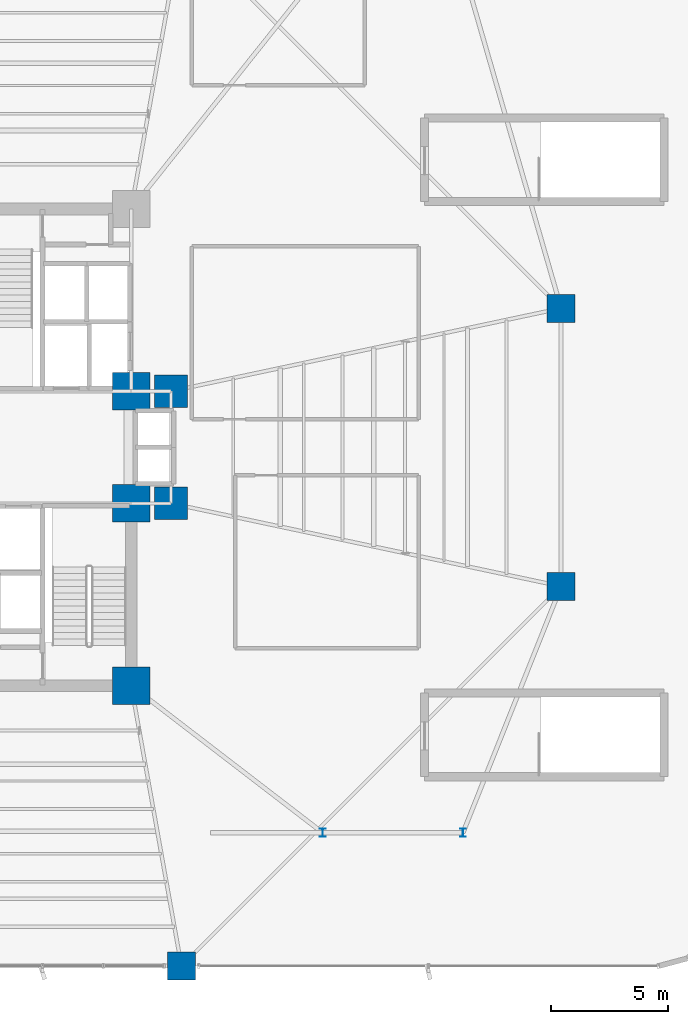
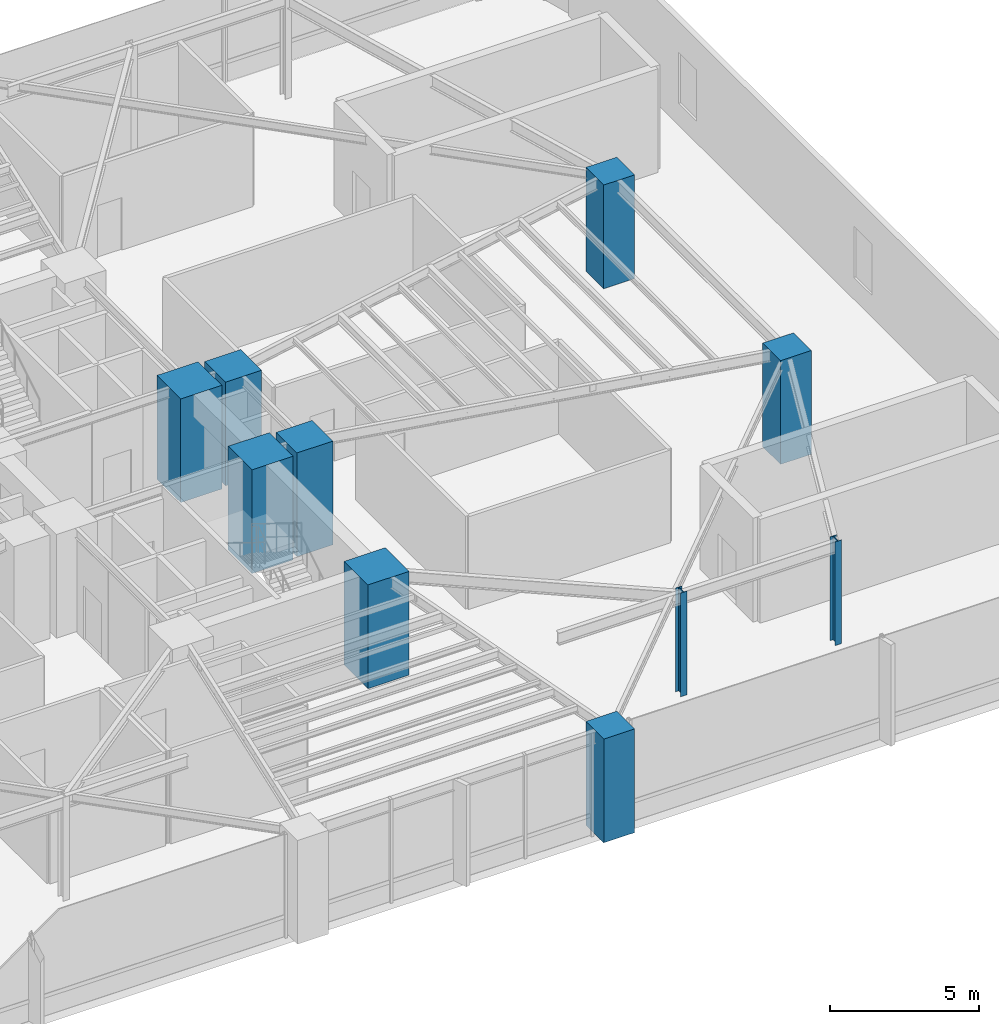
# One storey, part 2 of 26: 10 columns.
"""IFC4 building model written with IfcOpenShell, lengths in metres."""

from ifc_helpers import new_model, si_unit, direction, frame, origin, origin_2d, place, context, subcontext, project, spatial, rectangle, i_section, extrude, source, transform, mapped, material, material_profile, profile_set, type_object, element, save


model = new_model("IFC4")

# Units and contexts
model_context = context("Model", 3, precision=1e-05, world=origin(), true_north=direction((0.0, 1.0)))
body_context = subcontext(model_context, "Body", "Model", "MODEL_VIEW")
ifc_project = project(units=[si_unit("LENGTHUNIT", "METRE"), si_unit("AREAUNIT", "SQUARE_METRE"), si_unit("VOLUMEUNIT", "CUBIC_METRE"), si_unit("PLANEANGLEUNIT", "RADIAN"), si_unit("MASSUNIT", "GRAM", prefix="KILO")], contexts=[model_context])

# Site, building, storey
site_placement = place(None, origin())
site = spatial("IfcSite", under=ifc_project, at=site_placement, CompositionType="ELEMENT")
building_placement = place(site_placement, origin())
building = spatial("IfcBuilding", under=site, at=building_placement, Name="Sahyath Konkavel Grand Hotel", CompositionType="ELEMENT")
storey_placement = place(building_placement, frame((0.0, 0.0, 18.60009765625)))
storey = spatial("IfcBuildingStorey", under=building, at=storey_placement, Name="L04", CompositionType="ELEMENT", Elevation=18.60009765625)

# Columns
ifc_material_1 = material(Name="Concrete C70/85", Category="concrete")
ifc_material_profile_1 = material_profile(ifc_material_1, rectangle(XDim=1.60009765625, YDim=1.60009765625, at=origin_2d()), Name="RC 1600x1600")
ifc_profile_set_1 = profile_set([ifc_material_profile_1], Name="Concrete C70/85")
column_type_1 = type_object("IfcColumnType", Name="COL-RC1600", PredefinedType="COLUMN", material=ifc_profile_set_1)
shared_shape_1 = source(origin(), body_context, "Body", "SweptSolid", [
    extrude(rectangle(XDim=1.60009765625, YDim=1.60009765625, at=origin_2d()), origin(), (0.0, 0.0, 1.0), 4.260009765625),
])
for number, where, z_axis, x_axis, name in (
    (1, (3.800048828125, 2.39990234375, 0.0), (0.0, 0.0, 1.0), (1.0, 0.0, 0.0), "L04 Core Boundary Column NC-SE"),
    (2, (3.800048828125, -2.39990234375, 0.0), (0.0, 0.0, 1.0), (1.0, 0.0, 0.0), "L04 Core Boundary Column SC-NE"),
    (3, (3.800048828125, -10.199951171875, 0.0), (0.0, 0.0, 1.0), (1.0, 0.0, 0.0), "L04 Core Boundary Column SC-SE"),
):
    element("IfcColumn", number, at=place(storey_placement, frame(where, z_axis=z_axis, x_axis=x_axis)), inside=storey, type_object=column_type_1, Name=name, PredefinedType="COLUMN", context=body_context, shape_type="MappedRepresentation", body=[
        mapped(shared_shape_1, transform((0.0, 0.0, 0.0), scale=1.0)),
    ])
ifc_material_profile_2 = material_profile(ifc_material_1, rectangle(XDim=1.39990234375, YDim=1.39990234375, at=origin_2d()), Name="RC 1400x1400")
ifc_profile_set_2 = profile_set([ifc_material_profile_2], Name="Concrete C70/85")
column_type_2 = type_object("IfcColumnType", Name="COL-RC1400", PredefinedType="COLUMN", material=ifc_profile_set_2)
shared_shape_2 = source(origin(), body_context, "Body", "SweptSolid", [
    extrude(rectangle(XDim=1.39990234375, YDim=1.39990234375, at=origin_2d()), origin(), (0.0, 0.0, 1.0), 4.260009765625),
])
for number, where, z_axis, x_axis, name in (
    (4, (5.5, 2.39990234375, 0.0), (0.0, 0.0, 1.0), (1.0, 0.0, 0.0), "L04 Central Spine Column HB-NE"),
    (5, (5.5, -2.39990234375, 0.0), (0.0, 0.0, 1.0), (1.0, 0.0, 0.0), "L04 Central Spine Column HB-SE"),
):
    element("IfcColumn", number, at=place(storey_placement, frame(where, z_axis=z_axis, x_axis=x_axis)), inside=storey, type_object=column_type_2, Name=name, PredefinedType="COLUMN", context=body_context, shape_type="MappedRepresentation", body=[
        mapped(shared_shape_2, transform((0.0, 0.0, 0.0), scale=1.0)),
    ])
ifc_material_2 = material(Name="Concrete C50/60", Category="concrete")
ifc_material_profile_3 = material_profile(ifc_material_2, rectangle(XDim=1.199951171875, YDim=1.199951171875, at=origin_2d()), Name="RC 1200x1200")
ifc_profile_set_3 = profile_set([ifc_material_profile_3], Name="Concrete C50/60")
column_type_3 = type_object("IfcColumnType", Name="COL-RC1200", PredefinedType="COLUMN", material=ifc_profile_set_3)
shared_shape_3 = source(origin(), body_context, "Body", "SweptSolid", [
    extrude(rectangle(XDim=1.199951171875, YDim=1.199951171875, at=origin_2d()), origin(), (0.0, 0.0, 1.0), 4.260009765625),
])
for number, where, z_axis, x_axis, name in (
    (6, (22.199951171875, -5.949951171875, 0.0), (0.0, 0.0, 1.0), (1.0, 0.0, 0.0), "L04 Cruciform Wing Column WC-EA"),
    (7, (22.199951171875, 5.949951171875, 0.0), (0.0, 0.0, 1.0), (1.0, 0.0, 0.0), "L04 Cruciform Wing Column WC-EB"),
    (8, (5.949951171875, -22.199951171875, 0.0), (0.0, 0.0, 1.0), (1.0, 0.0, 0.0), "L04 Cruciform Wing Column WC-SB"),
):
    element("IfcColumn", number, at=place(storey_placement, frame(where, z_axis=z_axis, x_axis=x_axis)), inside=storey, type_object=column_type_3, Name=name, PredefinedType="COLUMN", context=body_context, shape_type="MappedRepresentation", body=[
        mapped(shared_shape_3, transform((0.0, 0.0, 0.0), scale=1.0)),
    ])
ifc_material_3 = material(Name="Steel E350", Category="steel")
ifc_material_profile_4 = material_profile(ifc_material_3, i_section(OverallWidth=0.25, OverallDepth=0.35009765625, WebThickness=0.01171875, FlangeThickness=0.01171875, FilletRadius=0.011962890625, at=origin_2d()), Name="ISHB 350")
ifc_profile_set_4 = profile_set([ifc_material_profile_4], Name="Steel E350")
column_type_4 = type_object("IfcColumnType", Name="COL-ISHB350", PredefinedType="COLUMN", material=ifc_profile_set_4)
shared_shape_4 = source(origin(), body_context, "Body", "SweptSolid", [
    extrude(i_section(OverallWidth=0.25, OverallDepth=0.35009765625, WebThickness=0.01171875, FlangeThickness=0.01171875, FilletRadius=0.011962890625, at=origin_2d()), origin(), (0.0, 0.0, 1.0), 4.260009765625),
])
for number, where, z_axis, x_axis, name in (
    (9, (12.0, -16.5, 0.0), (0.0, 0.0, 1.0), (1.0, 0.0, 0.0), "L04 Sandstone Colonnade Pier CL-S3"),
    (10, (18.0, -16.5, 0.0), (0.0, 0.0, 1.0), (1.0, 0.0, 0.0), "L04 Sandstone Colonnade Pier CL-S4"),
):
    element("IfcColumn", number, at=place(storey_placement, frame(where, z_axis=z_axis, x_axis=x_axis)), inside=storey, type_object=column_type_4, Name=name, PredefinedType="COLUMN", context=body_context, shape_type="MappedRepresentation", body=[
        mapped(shared_shape_4, transform((0.0, 0.0, 0.0), scale=1.0)),
    ])

save(model, "model.ifc")
